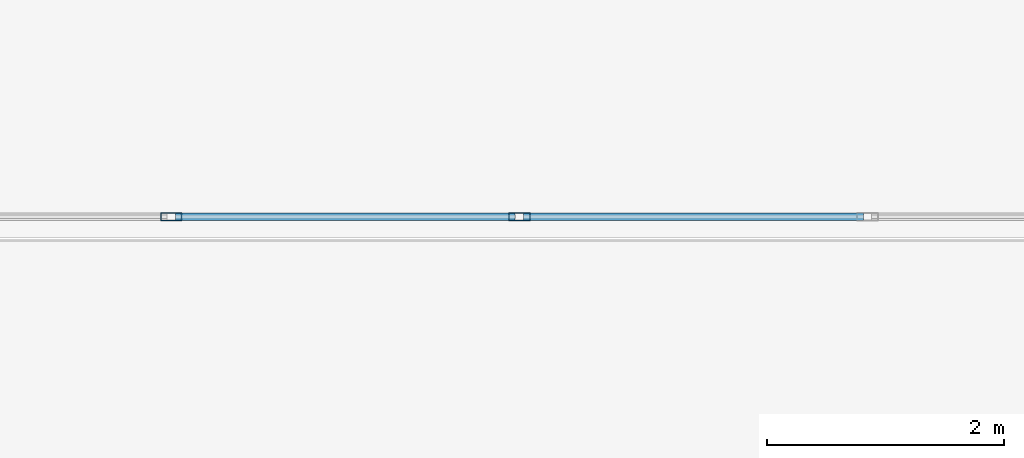
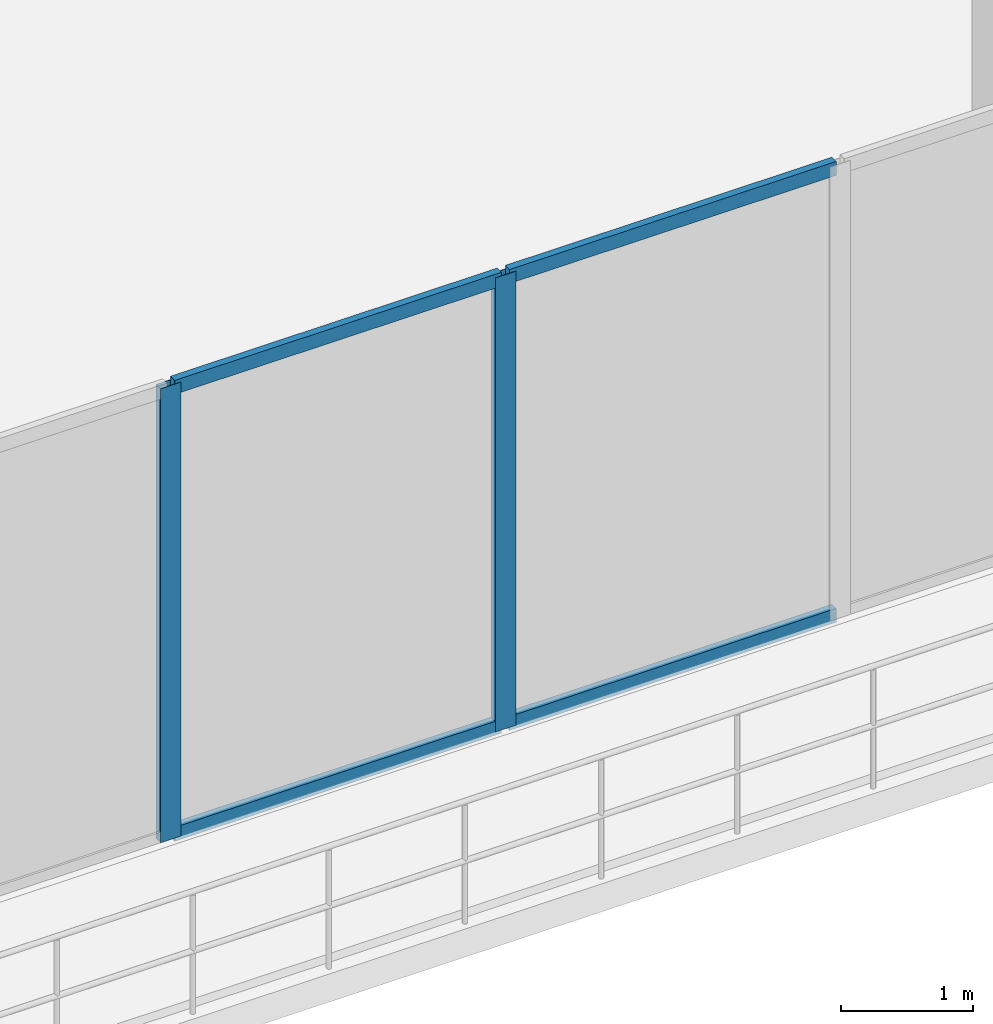
# One storey, part 8 of 31: 6 members, 1 element without a shape of its own.
"""IFC4 building model written with IfcOpenShell, lengths in metres."""

from ifc_helpers import new_model, si_unit, direction, frame, origin, origin_2d, place, context, subcontext, project, spatial, hollow_rectangle, extrude, material, layer, layer_set, material_profile, profile_set, type_object, element, aggregate, save


model = new_model("IFC4")

# Units and contexts
model_context = context("Model", 3, precision=1e-05, world=origin(), true_north=direction((0.0, 1.0)))
body_context = subcontext(model_context, "Body", "Model", "MODEL_VIEW")
ifc_project = project(units=[si_unit("LENGTHUNIT", "METRE"), si_unit("AREAUNIT", "SQUARE_METRE"), si_unit("VOLUMEUNIT", "CUBIC_METRE"), si_unit("PLANEANGLEUNIT", "RADIAN"), si_unit("MASSUNIT", "GRAM", prefix="KILO")], contexts=[model_context])

# Site, building, storey
site_placement = place(None, origin())
site = spatial("IfcSite", under=ifc_project, at=site_placement, CompositionType="ELEMENT")
building_placement = place(site_placement, origin())
building = spatial("IfcBuilding", under=site, at=building_placement, Name="Caelvoria Tower", CompositionType="ELEMENT")
storey_placement = place(building_placement, frame((0.0, 0.0, 9.5)))
storey = spatial("IfcBuildingStorey", under=building, at=storey_placement, Name="L02", CompositionType="ELEMENT", Elevation=9.5)

# Curtain wall, members
ifc_material_1 = material(Name="Anodised Bronze Aluminium and Low-E Glass", Category="aluminium")
ifc_layer = layer(ifc_material_1, 0.199951171875, Name="Anodised Bronze Aluminium and Low-E Glass")
ifc_layer_set = layer_set([ifc_layer], Name="CW System 1 Podium Arcade Unitised Glazing - Anodised Bronze Aluminium and Low-E Glass")
curtain_wall_type = type_object("IfcCurtainWallType", Name="CW System 1 Podium Arcade Unitised Glazing", PredefinedType="NOTDEFINED", material=ifc_layer_set)
curtain_wall_placement = place(storey_placement, origin())
curtain_wall = element("IfcCurtainWall", 1, at=curtain_wall_placement, inside=storey, type_object=curtain_wall_type, Name="CW-01 Curtain Wall L02-E0", PredefinedType="NOTDEFINED")
ifc_material_2 = material(Name="Anodised Bronze Architectural Aluminium", Category="aluminium")
ifc_material_profile_1 = material_profile(ifc_material_2, hollow_rectangle(XDim=0.070068359375, YDim=0.179931640625, WallThickness=0.00390625, at=origin_2d()), Name="Anodised Bronze Architectural Aluminium")
ifc_profile_set_1 = profile_set([ifc_material_profile_1], Name="CW_MULL_70X180 - Anodised Bronze Architectural Aluminium")
member_type_1 = type_object("IfcMemberType", Name="Curtain Wall Mullion 70x180 Bronze Aluminium", PredefinedType="MULLION", material=ifc_profile_set_1)
member_1_placement = place(storey_placement, frame((57.745361328125, 6.3798828125, 0.0), z_axis=(0.0, 0.0, 1.0), x_axis=(0.0, 1.0, 0.0)))
member_1 = element("IfcMember", 2, at=member_1_placement, type_object=member_type_1, Name="CW-01 mullion 16", PredefinedType="MULLION", context=body_context, shape_type="SweptSolid", body=[
    extrude(hollow_rectangle(XDim=0.070068359375, YDim=0.179931640625, WallThickness=0.00390625, at=origin_2d()), origin(), (0.0, 0.0, 1.0), 4.2099609375),
])
member_2_placement = place(storey_placement, frame((60.681884765625, 6.3798828125, 0.0), z_axis=(0.0, 0.0, 1.0), x_axis=(0.0, 1.0, 0.0)))
member_2 = element("IfcMember", 3, at=member_2_placement, type_object=member_type_1, Name="CW-01 mullion 17", PredefinedType="MULLION", context=body_context, shape_type="SweptSolid", body=[
    extrude(hollow_rectangle(XDim=0.070068359375, YDim=0.179931640625, WallThickness=0.00390625, at=origin_2d()), origin(), (0.0, 0.0, 1.0), 4.2099609375),
])
ifc_material_profile_2 = material_profile(ifc_material_2, hollow_rectangle(XDim=0.06494140625, YDim=0.1298828125, WallThickness=0.00341796875, at=origin_2d()), Name="Anodised Bronze Architectural Aluminium")
ifc_profile_set_2 = profile_set([ifc_material_profile_2], Name="CW_TRAN_65X130 - Anodised Bronze Architectural Aluminium")
member_type_2 = type_object("IfcMemberType", Name="Curtain Wall Transom 65x130 Bronze Aluminium", PredefinedType="USERDEFINED", material=ifc_profile_set_2)
member_3_placement = place(storey_placement, frame((57.780517578125, 6.3798828125, 0.032470703125), z_axis=(1.0, 0.0, 0.0), x_axis=(0.0, 1.0, 0.0)))
member_3 = element("IfcMember", 4, at=member_3_placement, type_object=member_type_2, Name="CW-01 transom 16.1", ObjectType="TRANSOM", PredefinedType="USERDEFINED", context=body_context, shape_type="SweptSolid", body=[
    extrude(hollow_rectangle(XDim=0.06494140625, YDim=0.1298828125, WallThickness=0.00341796875, at=origin_2d()), origin(), (0.0, 0.0, 1.0), 2.8662109375),
])
member_4_placement = place(storey_placement, frame((57.780517578125, 6.3798828125, 4.177490234375), z_axis=(1.0, 0.0, 0.0), x_axis=(0.0, 1.0, 0.0)))
member_4 = element("IfcMember", 5, at=member_4_placement, type_object=member_type_2, Name="CW-01 transom 16.2", ObjectType="TRANSOM", PredefinedType="USERDEFINED", context=body_context, shape_type="SweptSolid", body=[
    extrude(hollow_rectangle(XDim=0.06494140625, YDim=0.1298828125, WallThickness=0.00341796875, at=origin_2d()), origin(), (0.0, 0.0, 1.0), 2.8662109375),
])
member_5_placement = place(storey_placement, frame((60.716796875, 6.3798828125, 0.032470703125), z_axis=(1.0, 0.0, 0.0), x_axis=(0.0, 1.0, 0.0)))
member_5 = element("IfcMember", 6, at=member_5_placement, type_object=member_type_2, Name="CW-01 transom 17.1", ObjectType="TRANSOM", PredefinedType="USERDEFINED", context=body_context, shape_type="SweptSolid", body=[
    extrude(hollow_rectangle(XDim=0.06494140625, YDim=0.1298828125, WallThickness=0.00341796875, at=origin_2d()), origin(), (0.0, 0.0, 1.0), 2.866455078125),
])
member_6_placement = place(storey_placement, frame((60.716796875, 6.3798828125, 4.177490234375), z_axis=(1.0, 0.0, 0.0), x_axis=(0.0, 1.0, 0.0)))
member_6 = element("IfcMember", 7, at=member_6_placement, type_object=member_type_2, Name="CW-01 transom 17.2", ObjectType="TRANSOM", PredefinedType="USERDEFINED", context=body_context, shape_type="SweptSolid", body=[
    extrude(hollow_rectangle(XDim=0.06494140625, YDim=0.1298828125, WallThickness=0.00341796875, at=origin_2d()), origin(), (0.0, 0.0, 1.0), 2.866455078125),
])
aggregate(curtain_wall, [member_1, member_2, member_3, member_4, member_5, member_6])

save(model, "model.ifc")
